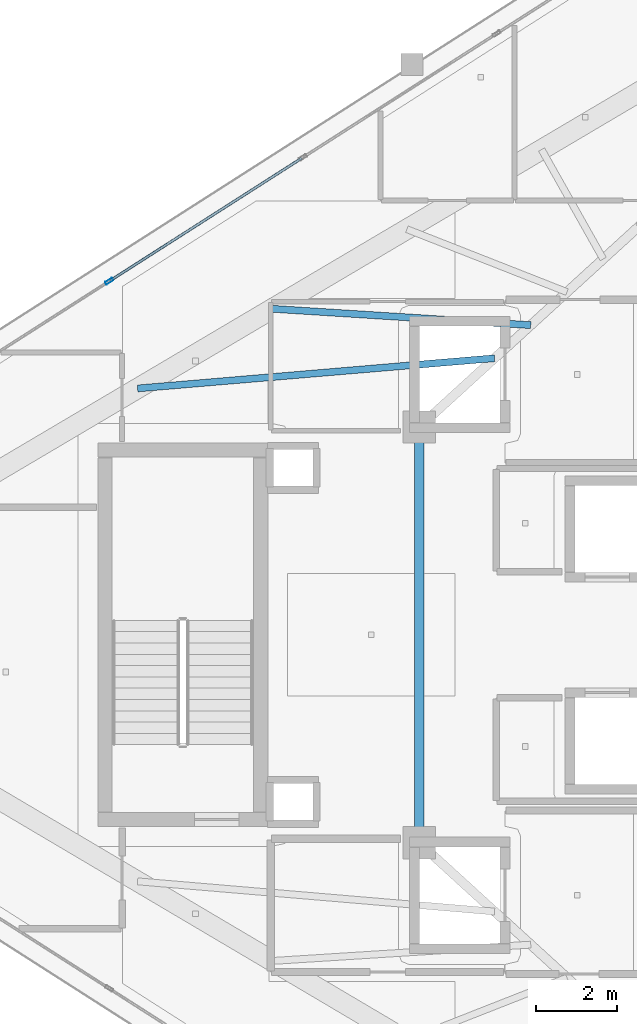
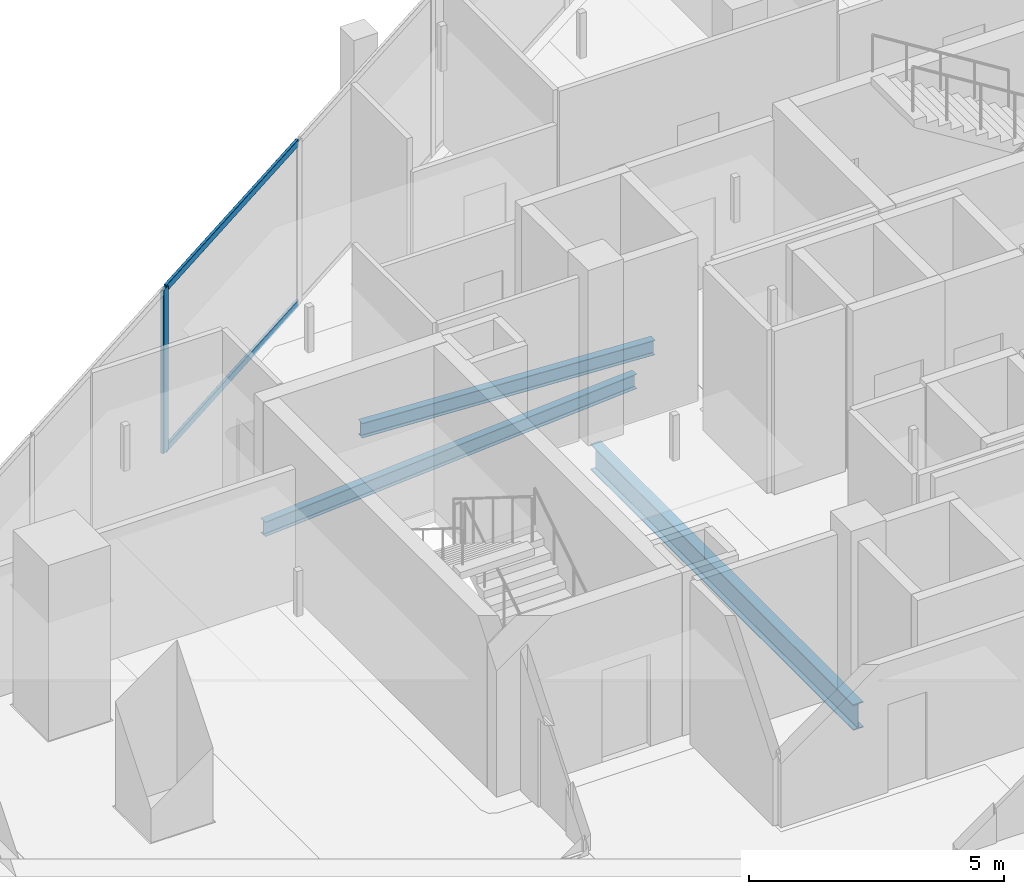
# One storey, part 7 of 24: 3 beams, 3 members, 1 element without a shape of its own.
"""IFC4 building model written with IfcOpenShell, lengths in metres."""

import ifcopenshell
import ifcopenshell.guid

model = None  # the IFC model being written
_history = None  # IfcOwnerHistory: only IFC2X3 demands one
_inside = {}  # id of a spatial element -> (the spatial element, [elements in it])
_under = {}  # id of a project, library or spatial element -> (it, [spatial elements below it])
_declared = {}  # id of a project -> (the project, [libraries it declares])
_typed = {}  # id of a type object -> (the type object, [elements of that type])
_made_of = {}  # id of a material, layer set ... -> (it, [elements and type objects made of it])


def new_model(schema):
    """Start an empty IFC model of exactly this schema.

    Asked for "IFC4X3", IfcOpenShell would pick the latest addendum, in which some entities
    have other attributes; the version numbers below select the first issue.
    IFC2X3 requires an IfcOwnerHistory on every rooted entity: one is made here for all.
    """
    global model, _history
    if schema == "IFC4X3":
        model = ifcopenshell.file(schema_version=(4, 3, 0, 0))
    else:
        model = ifcopenshell.file(schema=schema)
    _inside.clear()
    _under.clear()
    _declared.clear()
    _typed.clear()
    _made_of.clear()
    _history = None
    if model.schema == "IFC2X3":
        org = make("IfcOrganization", Name="unknown")
        user = make(
            "IfcPersonAndOrganization",
            ThePerson=make("IfcPerson", FamilyName="unknown"),
            TheOrganization=org,
        )
        app = make(
            "IfcApplication",
            ApplicationDeveloper=org,
            Version="unknown",
            ApplicationFullName="unknown",
            ApplicationIdentifier="unknown",
        )
        _history = make(
            "IfcOwnerHistory",
            OwningUser=user,
            OwningApplication=app,
            ChangeAction="ADDED",
            CreationDate=0,
        )
    return model


def make(cls, **values):
    """One entity of the class cls with the attributes given. An attribute that is None is left unset."""
    return model.create_entity(
        cls, **{name: value for name, value in values.items() if value is not None}
    )


def rooted(cls, **values):
    """An entity with a GlobalId (a new one), such as an element, a storey or a relation."""
    return make(cls, GlobalId=ifcopenshell.guid.new(), OwnerHistory=_history, **values)


def si_unit(unit_type, name, prefix=None):
    """IfcSIUnit, for example si_unit("LENGTHUNIT", "METRE", prefix="MILLI")."""
    return make("IfcSIUnit", UnitType=unit_type, Prefix=prefix, Name=name)


def assignment(units):
    """IfcUnitAssignment: the units of a project."""
    return None if units is None else make("IfcUnitAssignment", Units=units)


def point(xyz):
    """IfcCartesianPoint."""
    return None if xyz is None else make("IfcCartesianPoint", Coordinates=xyz)


def direction(xyz):
    """IfcDirection."""
    return None if xyz is None else make("IfcDirection", DirectionRatios=xyz)


def frame(location, z_axis=None, x_axis=None):
    """IfcAxis2Placement3D, a coordinate frame: its origin and axes. An axis left out is left unset."""
    return make(
        "IfcAxis2Placement3D",
        Location=point(location),
        Axis=direction(z_axis),
        RefDirection=direction(x_axis),
    )


def frame_2d(location, x_axis=None):
    """IfcAxis2Placement2D, a coordinate frame in the plane: its origin and x axis."""
    return make(
        "IfcAxis2Placement2D", Location=point(location), RefDirection=direction(x_axis)
    )


def origin():
    """The frame at (0, 0, 0) with its axes left unset."""
    return frame((0.0, 0.0, 0.0))


def origin_2d():
    """The frame at (0, 0) in the plane with its x axis left unset."""
    return frame_2d((0.0, 0.0))


def place(relative_to, where):
    """IfcLocalPlacement: puts the frame where relative to a parent placement (None: the world)."""
    return make(
        "IfcLocalPlacement", PlacementRelTo=relative_to, RelativePlacement=where
    )


def context(
    kind, dimensions, precision=None, world=None, true_north=None, identifier=None
):
    """IfcGeometricRepresentationContext, for example the 3D "Model" context."""
    return make(
        "IfcGeometricRepresentationContext",
        ContextIdentifier=identifier,
        ContextType=kind,
        CoordinateSpaceDimension=dimensions,
        Precision=precision,
        WorldCoordinateSystem=world,
        TrueNorth=true_north,
    )


def subcontext(parent, identifier, kind, view, scale=None):
    """IfcGeometricRepresentationSubContext, for example "Body" below "Model"."""
    return make(
        "IfcGeometricRepresentationSubContext",
        ContextIdentifier=identifier,
        ContextType=kind,
        ParentContext=parent,
        TargetScale=scale,
        TargetView=view,
    )


def project(units=None, contexts=None):
    """IfcProject with its units and contexts."""
    return rooted(
        "IfcProject",
        Name="project",
        RepresentationContexts=contexts,
        UnitsInContext=assignment(units),
    )


def spatial(cls, under=None, at=None, **own):
    """A site, building, storey or space (cls), placed at a placement, below another one or the project."""
    s = rooted(cls, ObjectPlacement=at, **own)
    if under is not None:
        _under.setdefault(under.id(), (under, []))[1].append(s)
    return s


def profile(cls, at=None, kind="AREA", **sizes):
    """A parametric profile (cls). Its sizes go by their IFC names, for example OverallWidth=200.0."""
    return make(cls, ProfileType=kind, Position=at, **sizes)


def hollow_rectangle(**sizes):
    """IfcRectangleHollowProfileDef."""
    return profile("IfcRectangleHollowProfileDef", **sizes)


def i_section(**sizes):
    """IfcIShapeProfileDef."""
    return profile("IfcIShapeProfileDef", **sizes)


def extrude(swept, where, along, depth):
    """IfcExtrudedAreaSolid: the profile swept, set in the frame where, extruded along a direction by depth."""
    return make(
        "IfcExtrudedAreaSolid",
        SweptArea=swept,
        Position=where,
        ExtrudedDirection=direction(along),
        Depth=depth,
    )


def shape(context_of_items, identifier, shape_type, items):
    """IfcShapeRepresentation: the items that make up one representation, for example the "Body"."""
    return make(
        "IfcShapeRepresentation",
        ContextOfItems=context_of_items,
        RepresentationIdentifier=identifier,
        RepresentationType=shape_type,
        Items=items,
    )


def material(Name=None, Category=None):
    """IfcMaterial."""
    return make("IfcMaterial", Name=Name, Category=Category)


def layer(
    of_material, thickness, ventilated=None, Name=None, Category=None, Priority=None
):
    """IfcMaterialLayer: one layer of a wall or slab, of a material (None: an air gap)."""
    return make(
        "IfcMaterialLayer",
        Material=of_material,
        LayerThickness=thickness,
        IsVentilated=ventilated,
        Name=Name,
        Category=Category,
        Priority=Priority,
    )


def layer_set(layers, Name=None):
    """IfcMaterialLayerSet."""
    return make("IfcMaterialLayerSet", MaterialLayers=layers, LayerSetName=Name)


def material_profile(
    of_material, cross_section, Name=None, Category=None, Priority=None
):
    """IfcMaterialProfile: a cross section and its material."""
    return make(
        "IfcMaterialProfile",
        Name=Name,
        Material=of_material,
        Profile=cross_section,
        Priority=Priority,
        Category=Category,
    )


def profile_set(profiles, Name=None, composite=None):
    """IfcMaterialProfileSet."""
    return make(
        "IfcMaterialProfileSet",
        Name=Name,
        MaterialProfiles=profiles,
        CompositeProfile=composite,
    )


def made_of(thing, what):
    """Note that an element or type object is made of a material, layer set ...; save() writes the relation."""
    if what is not None:
        _made_of.setdefault(what.id(), (what, []))[1].append(thing)
    return thing


def type_object(cls, material=None, **own):
    """A type object (cls), such as IfcWallType, which elements share."""
    return made_of(rooted(cls, **own), material)


def element(
    cls,
    number,
    at=None,
    inside=None,
    cuts=None,
    type_object=None,
    material=None,
    context=None,
    identifier="Body",
    shape_type=None,
    held_by="IfcProductDefinitionShape",
    body=None,
    shapes=None,
    **own,
):
    """One element of the class cls, such as IfcWall. Its Tag is "e" and its number.

    at: its placement. inside: the storey or other place that contains it. cuts: it is an
    opening in that element (IfcRelVoidsElement). A single representation is given by context,
    identifier, shape_type and body (its items); several are given by shapes. held_by: the class
    of the entity that holds the representations. save() writes the other relations.
    """
    e = rooted(cls, Tag="e%d" % number, ObjectPlacement=at, **own)
    if body is not None:
        shapes = [shape(context, identifier, shape_type, body)]
    if shapes is not None:
        e.Representation = make(held_by, Representations=shapes)
    if inside is not None:
        _inside.setdefault(inside.id(), (inside, []))[1].append(e)
    if cuts is not None:
        rooted(
            "IfcRelVoidsElement", RelatingBuildingElement=cuts, RelatedOpeningElement=e
        )
    if type_object is not None:
        _typed.setdefault(type_object.id(), (type_object, []))[1].append(e)
    return made_of(e, material)


def aggregate(whole, parts):
    """IfcRelAggregates: a whole, such as a stair, and the parts it consists of."""
    return rooted("IfcRelAggregates", RelatingObject=whole, RelatedObjects=parts)


def save(model, path):
    """Write the relations noted so far, then the file.

    IfcRelAggregates (storeys below a building ...), IfcRelContainedInSpatialStructure (elements
    in a storey), IfcRelDefinesByType, IfcRelAssociatesMaterial and IfcRelDeclares: one each for
    every whole, place, type object, material and project.
    """
    for whole, parts in _under.values():
        aggregate(whole, parts)
    for where, things in _inside.values():
        rooted(
            "IfcRelContainedInSpatialStructure",
            RelatedElements=things,
            RelatingStructure=where,
        )
    for kind, things in _typed.values():
        rooted("IfcRelDefinesByType", RelatedObjects=things, RelatingType=kind)
    for what, things in _made_of.values():
        rooted("IfcRelAssociatesMaterial", RelatedObjects=things, RelatingMaterial=what)
    for by, libraries in _declared.values():
        rooted("IfcRelDeclares", RelatingContext=by, RelatedDefinitions=libraries)
    model.write(path)


model = new_model("IFC4")

# Units and contexts
model_context = context("Model", 3, precision=1e-05, world=origin(), true_north=direction((0.0, 1.0)))
body_context = subcontext(model_context, "Body", "Model", "MODEL_VIEW")
ifc_project = project(units=[si_unit("LENGTHUNIT", "METRE"), si_unit("AREAUNIT", "SQUARE_METRE"), si_unit("VOLUMEUNIT", "CUBIC_METRE"), si_unit("PLANEANGLEUNIT", "RADIAN"), si_unit("MASSUNIT", "GRAM", prefix="KILO")], contexts=[model_context])

# Site, building, storey
site_placement = place(None, origin())
site = spatial("IfcSite", under=ifc_project, at=site_placement, CompositionType="ELEMENT")
building_placement = place(site_placement, origin())
building = spatial("IfcBuilding", under=site, at=building_placement, Name="Qorvath Tower", CompositionType="ELEMENT")
storey_placement = place(building_placement, frame((0.0, 0.0, 318.60009765625)))
storey = spatial("IfcBuildingStorey", under=building, at=storey_placement, Name="L74", CompositionType="ELEMENT", Elevation=318.60009765625)

# Beams
ifc_material_1 = material(Name="Steel ASTM A992 Grade 50", Category="steel")
ifc_material_profile_1 = material_profile(ifc_material_1, i_section(OverallWidth=0.22998046875, OverallDepth=0.616943359375, WebThickness=0.01318359375, FlangeThickness=0.022216796875, FilletRadius=0.014892578125, at=origin_2d()), Name="W24x94")
ifc_profile_set_1 = profile_set([ifc_material_profile_1], Name="Steel ASTM A992 Grade 50")
beam_type_1 = type_object("IfcBeamType", Name="BM-FG6", PredefinedType="BEAM", material=ifc_profile_set_1)
beam_1_placement = place(storey_placement, frame((-30.5, -5.14990234375, -0.598388671875), z_axis=(0.0, 1.0, 0.0), x_axis=(-1.0, 0.0, 0.0)))
element("IfcBeam", 1, at=beam_1_placement, inside=storey, type_object=beam_type_1, Name="Core Ring Girder CC6-CC5 L74", PredefinedType="BEAM", context=body_context, shape_type="SweptSolid", body=[
    extrude(i_section(OverallWidth=0.22998046875, OverallDepth=0.616943359375, WebThickness=0.01318359375, FlangeThickness=0.022216796875, FilletRadius=0.014892578125, at=origin_2d()), origin(), (0.0, 0.0, 1.0), 10.2998046875),
])
ifc_material_2 = material(Name="Steel ASTM A992 Grade 50", Category="steel")
ifc_material_profile_2 = material_profile(ifc_material_2, i_section(OverallWidth=0.1708984375, OverallDepth=0.35107421875, WebThickness=0.0068359375, FlangeThickness=0.009765625, FilletRadius=0.010009765625, at=origin_2d()), Name="W14x30")
ifc_profile_set_2 = profile_set([ifc_material_profile_2], Name="Steel ASTM A992 Grade 50")
beam_type_2 = type_object("IfcBeamType", Name="BM-FJ4", PredefinedType="JOIST", material=ifc_profile_set_2)
beam_2_placement = place(storey_placement, frame((-28.636962890625, 6.85107421875, -0.465576171875), z_axis=(-0.996436150147, -0.084350451576, 0.0), x_axis=(0.084350451576, -0.996436150147, 0.0)))
element("IfcBeam", 2, at=beam_2_placement, inside=storey, type_object=beam_type_2, Name="Composite Floor Joist NW2 L74", PredefinedType="JOIST", context=body_context, shape_type="SweptSolid", body=[
    extrude(i_section(OverallWidth=0.1708984375, OverallDepth=0.35107421875, WebThickness=0.0068359375, FlangeThickness=0.009765625, FilletRadius=0.010009765625, at=origin_2d()), origin(), (0.0, 0.0, 1.0), 8.87109375),
])
beam_3_placement = place(storey_placement, frame((-27.739990234375, 7.669921875, -0.465576171875), z_axis=(-0.998006998641, 0.063103333222, 0.0), x_axis=(-0.063103333222, -0.998006998641, 0.0)))
element("IfcBeam", 3, at=beam_3_placement, inside=storey, type_object=beam_type_2, Name="Composite Floor Joist NW3 L74", PredefinedType="JOIST", context=body_context, shape_type="SweptSolid", body=[
    extrude(i_section(OverallWidth=0.1708984375, OverallDepth=0.35107421875, WebThickness=0.0068359375, FlangeThickness=0.009765625, FilletRadius=0.010009765625, at=origin_2d()), origin(), (0.0, 0.0, 1.0), 6.41455078125),
])

# Curtain wall, members
ifc_material_3 = material(Name="Anodised aluminium and triple low-E glass", Category="aluminium")
ifc_layer = layer(ifc_material_3, 0.179931640625)
ifc_layer_set = layer_set([ifc_layer], Name="CW-SYS-4")
curtain_wall_type = type_object("IfcCurtainWallType", Name="CW-SYS-4", PredefinedType="NOTDEFINED", material=ifc_layer_set)
curtain_wall_placement = place(storey_placement, origin())
curtain_wall = element("IfcCurtainWall", 4, at=curtain_wall_placement, inside=storey, type_object=curtain_wall_type, Name="Curtain Wall CW-4 CW-T-L74-16.1", PredefinedType="NOTDEFINED")
ifc_material_4 = material(Name="Anodised aluminium 6063-T6", Category="aluminium")
ifc_material_profile_3 = material_profile(ifc_material_4, hollow_rectangle(XDim=0.074951171875, YDim=0.199951171875, WallThickness=0.00390625, InnerFilletRadius=0.00390625, OuterFilletRadius=0.008056640625, at=origin_2d()), Name="CWM 200x75")
ifc_profile_set_3 = profile_set([ifc_material_profile_3], Name="Anodised aluminium 6063-T6")
member_type_1 = type_object("IfcMemberType", Name="CWM-200", PredefinedType="MULLION", material=ifc_profile_set_3)
member_1_placement = place(storey_placement, frame((-38.177734375, 8.758056640625, 0.0), z_axis=(0.0, 0.0, 1.0), x_axis=(0.538531704636, -0.842605247493, 0.0)))
member_1 = element("IfcMember", 5, at=member_1_placement, type_object=member_type_1, Name="CW-4 mullion 5", PredefinedType="MULLION", context=body_context, shape_type="SweptSolid", body=[
    extrude(hollow_rectangle(XDim=0.074951171875, YDim=0.199951171875, WallThickness=0.00390625, InnerFilletRadius=0.00390625, OuterFilletRadius=0.008056640625, at=origin_2d()), origin(), (0.0, 0.0, 1.0), 3.909912109375),
])
ifc_material_5 = material(Name="Anodised aluminium 6063-T6", Category="aluminium")
ifc_material_profile_4 = material_profile(ifc_material_5, hollow_rectangle(XDim=0.06494140625, YDim=0.159912109375, WallThickness=0.00341796875, InnerFilletRadius=0.00341796875, OuterFilletRadius=0.007080078125, at=origin_2d()), Name="CWT 160x65")
ifc_profile_set_4 = profile_set([ifc_material_profile_4], Name="Anodised aluminium 6063-T6")
member_type_2 = type_object("IfcMemberType", Name="CWT-160", PredefinedType="USERDEFINED", material=ifc_profile_set_4)
member_2_placement = place(storey_placement, frame((-33.413330078125, 11.80322265625, 0.032470703125), z_axis=(-0.842607508841, -0.538528166436, 0.0), x_axis=(0.538528166436, -0.842607508841, 0.0)))
member_2 = element("IfcMember", 6, at=member_2_placement, type_object=member_type_2, Name="CW-4 transom 4.1", ObjectType="TRANSOM", PredefinedType="USERDEFINED", context=body_context, shape_type="SweptSolid", body=[
    extrude(hollow_rectangle(XDim=0.06494140625, YDim=0.159912109375, WallThickness=0.00341796875, InnerFilletRadius=0.00341796875, OuterFilletRadius=0.007080078125, at=origin_2d()), origin(), (0.0, 0.0, 1.0), 5.616943359375),
])
member_3_placement = place(storey_placement, frame((-33.413330078125, 11.80322265625, 3.87744140625), z_axis=(-0.842607508841, -0.538528166436, 0.0), x_axis=(0.538528166436, -0.842607508841, 0.0)))
member_3 = element("IfcMember", 7, at=member_3_placement, type_object=member_type_2, Name="CW-4 transom 4.2", ObjectType="TRANSOM", PredefinedType="USERDEFINED", context=body_context, shape_type="SweptSolid", body=[
    extrude(hollow_rectangle(XDim=0.06494140625, YDim=0.159912109375, WallThickness=0.00341796875, InnerFilletRadius=0.00341796875, OuterFilletRadius=0.007080078125, at=origin_2d()), origin(), (0.0, 0.0, 1.0), 5.616943359375),
])
aggregate(curtain_wall, [member_1, member_2, member_3])

save(model, "model.ifc")
